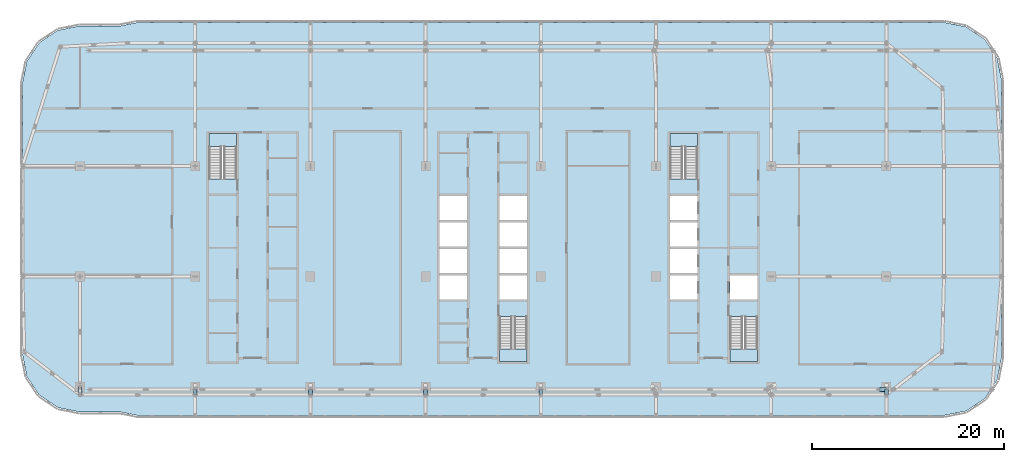
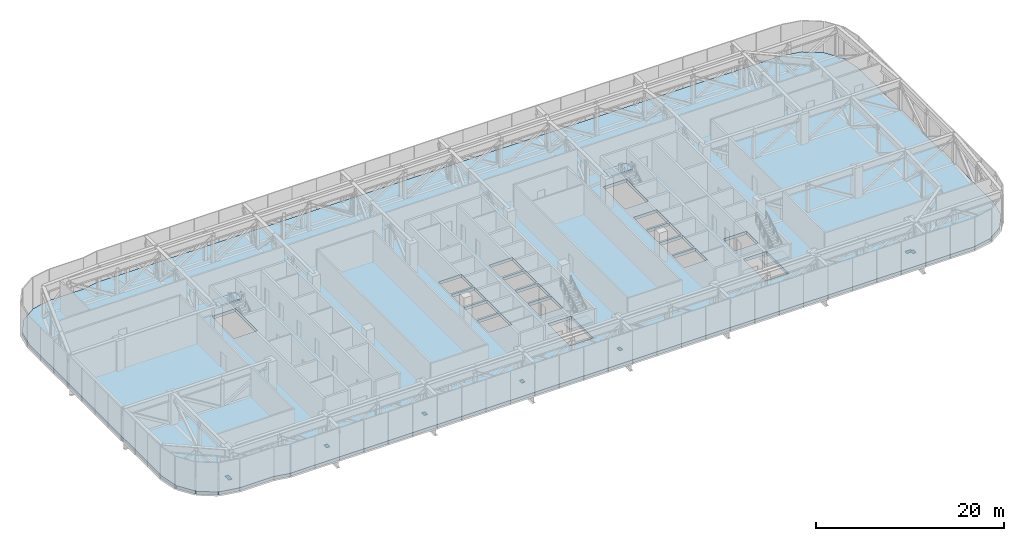
# One storey, part 12 of 29: 7 members, 5 slabs, 4 elements without a shape of their own.
"""IFC4 building model written with IfcOpenShell, lengths in metres."""

from ifc_helpers import new_model, si_unit, direction, frame, origin, origin_2d, place, context, subcontext, project, spatial, polyline, i_section, outline, extrude, material, layer, layer_set, material_profile, profile_set, type_object, element, aggregate, save


model = new_model("IFC4")

# Units and contexts
model_context = context("Model", 3, precision=1e-05, world=origin(), true_north=direction((0.0, 1.0)))
body_context = subcontext(model_context, "Body", "Model", "MODEL_VIEW")
ifc_project = project(units=[si_unit("LENGTHUNIT", "METRE"), si_unit("AREAUNIT", "SQUARE_METRE"), si_unit("VOLUMEUNIT", "CUBIC_METRE"), si_unit("PLANEANGLEUNIT", "RADIAN"), si_unit("MASSUNIT", "GRAM", prefix="KILO")], contexts=[model_context])

# Site, building, storey
site_placement = place(None, origin())
site = spatial("IfcSite", under=ifc_project, at=site_placement, CompositionType="ELEMENT")
building_placement = place(site_placement, origin())
building = spatial("IfcBuilding", under=site, at=building_placement, Name="Mahtab Terrace Research Tower", CompositionType="ELEMENT")
storey_placement = place(building_placement, frame((0.0, 0.0, 259.0)))
storey = spatial("IfcBuildingStorey", under=building, at=storey_placement, Name="L63", CompositionType="ELEMENT", Elevation=259.0)

# Members
ifc_material_1 = material(Name="Steel ASTM A992 Gr 50", Category="steel")
ifc_material_profile = material_profile(ifc_material_1, i_section(OverallWidth=0.40380859375, OverallDepth=0.406494140625, WebThickness=0.027099609375, FlangeThickness=0.043701171875, at=origin_2d()), Name="W14X233")
ifc_profile_set = profile_set([ifc_material_profile], Name="Steel ASTM A992 Gr 50")
member_type = type_object("IfcMemberType", Name="W14x233 chord TC14233", PredefinedType="CHORD", material=ifc_profile_set)
member_1_placement = place(storey_placement, frame((-42.0, -12.306884765625, -0.19677734375), z_axis=(0.0, 1.0, 0.0), x_axis=(-1.0, 0.0, 0.0)))
element("IfcMember", 1, at=member_1_placement, inside=storey, type_object=member_type, Name="Transfer truss T7 bottom chord 025", PredefinedType="CHORD", context=body_context, shape_type="SweptSolid", body=[
    extrude(i_section(OverallWidth=0.40380859375, OverallDepth=0.406494140625, WebThickness=0.027099609375, FlangeThickness=0.043701171875, at=origin_2d()), origin(), (0.0, 0.0, 1.0), 0.806884765625),
])
member_2_placement = place(storey_placement, frame((41.26611328125, -11.758056640625, -0.19677734375), z_axis=(1.0, 0.0, 0.0), x_axis=(0.0, 1.0, 0.0)))
element("IfcMember", 2, at=member_2_placement, inside=storey, type_object=member_type, Name="Transfer truss T7 bottom chord 042", PredefinedType="CHORD", context=body_context, shape_type="SweptSolid", body=[
    extrude(i_section(OverallWidth=0.40380859375, OverallDepth=0.406494140625, WebThickness=0.027099609375, FlangeThickness=0.043701171875, at=origin_2d()), origin(), (0.0, 0.0, 1.0), 0.73388671875),
])
for number, where, z_axis, x_axis, name in (
    (3, (-30.0, -12.306884765625, -0.19677734375), (0.0, 1.0, 0.0), (-1.0, 0.0, 0.0), "Transfer truss T7 bottom chord 045"),
    (4, (-18.0, -12.306884765625, -0.19677734375), (0.0, 1.0, 0.0), (-1.0, 0.0, 0.0), "Transfer truss T7 bottom chord 050"),
    (5, (-6.0, -12.306884765625, -0.19677734375), (0.0, 1.0, 0.0), (-1.0, 0.0, 0.0), "Transfer truss T7 bottom chord 055"),
    (6, (6.0, -12.306884765625, -0.19677734375), (0.0, 1.0, 0.0), (-1.0, 0.0, 0.0), "Transfer truss T7 bottom chord 060"),
    (7, (42.0, -12.306884765625, -0.19677734375), (0.0, 1.0, 0.0), (-1.0, 0.0, 0.0), "Transfer truss T7 bottom chord 084"),
):
    element("IfcMember", number, at=place(storey_placement, frame(where, z_axis=z_axis, x_axis=x_axis)), inside=storey, type_object=member_type, Name=name, PredefinedType="CHORD", context=body_context, shape_type="SweptSolid", body=[
        extrude(i_section(OverallWidth=0.40380859375, OverallDepth=0.406494140625, WebThickness=0.027099609375, FlangeThickness=0.043701171875, at=origin_2d()), origin(), (0.0, 0.0, 1.0), 0.548828125),
    ])

# Stair, slab
ifc_material_2 = material(Name="Exit stair half-turn")
stair_type = type_object("IfcStairType", Name="Exit stair half-turn", PredefinedType="HALF_TURN_STAIR", material=ifc_material_2)
stair_1_placement = place(storey_placement, origin())
stair_1 = element("IfcStair", 8, at=stair_1_placement, inside=storey, type_object=stair_type, Name="L63 Protected exit stair ST1", PredefinedType="HALF_TURN_STAIR")
ifc_material_3 = material(Name="Concrete C40/50", Category="concrete")
ifc_layer_1 = layer(ifc_material_3, 0.199951171875)
ifc_layer_set_1 = layer_set([ifc_layer_1], Name="Exit stair landing 200")
slab_type_1 = type_object("IfcSlabType", Name="Exit stair landing 200", PredefinedType="LANDING", material=ifc_layer_set_1)
slab_1_placement = place(storey_placement, frame((0.0, 0.0, 1.949951171875)))
slab_1 = element("IfcSlab", 9, at=slab_1_placement, type_object=slab_type_1, Name="ST1 landing 1", PredefinedType="LANDING", context=body_context, shape_type="SweptSolid", body=[
    extrude(outline(polyline([(-25.699951171875, 13.534912109375), (-25.699951171875, 14.875), (-28.550048828125, 14.875), (-28.550048828125, 13.534912109375), (-25.699951171875, 13.534912109375)])), origin(), (0.0, 0.0, 1.0), 0.199951171875),
])
aggregate(stair_1, [slab_1])

stair_2_placement = place(storey_placement, origin())
stair_2 = element("IfcStair", 10, at=stair_2_placement, inside=storey, type_object=stair_type, Name="L63 Protected exit stair ST2", PredefinedType="HALF_TURN_STAIR")
slab_2_placement = place(storey_placement, frame((0.0, 0.0, 1.949951171875)))
slab_2 = element("IfcSlab", 11, at=slab_2_placement, type_object=slab_type_1, Name="ST2 landing 1", PredefinedType="LANDING", context=body_context, shape_type="SweptSolid", body=[
    extrude(outline(polyline([(1.699951171875, -7.534912109375), (1.699951171875, -8.875), (4.550048828125, -8.875), (4.550048828125, -7.534912109375), (1.699951171875, -7.534912109375)])), origin(), (0.0, 0.0, 1.0), 0.199951171875),
])
aggregate(stair_2, [slab_2])

stair_3_placement = place(storey_placement, origin())
stair_3 = element("IfcStair", 12, at=stair_3_placement, inside=storey, type_object=stair_type, Name="L63 Protected exit stair ST3", PredefinedType="HALF_TURN_STAIR")
slab_3_placement = place(storey_placement, frame((0.0, 0.0, 1.949951171875)))
slab_3 = element("IfcSlab", 13, at=slab_3_placement, type_object=slab_type_1, Name="ST3 landing 1", PredefinedType="LANDING", context=body_context, shape_type="SweptSolid", body=[
    extrude(outline(polyline([(22.300048828125, 13.534912109375), (22.300048828125, 14.875), (19.449951171875, 14.875), (19.449951171875, 13.534912109375), (22.300048828125, 13.534912109375)])), origin(), (0.0, 0.0, 1.0), 0.199951171875),
])
aggregate(stair_3, [slab_3])

stair_4_placement = place(storey_placement, origin())
stair_4 = element("IfcStair", 14, at=stair_4_placement, inside=storey, type_object=stair_type, Name="L63 Protected exit stair ST4", PredefinedType="HALF_TURN_STAIR")
slab_4_placement = place(storey_placement, frame((0.0, 0.0, 1.949951171875)))
slab_4 = element("IfcSlab", 15, at=slab_4_placement, type_object=slab_type_1, Name="ST4 landing 1", PredefinedType="LANDING", context=body_context, shape_type="SweptSolid", body=[
    extrude(outline(polyline([(25.699951171875, -7.534912109375), (25.699951171875, -8.875), (28.550048828125, -8.875), (28.550048828125, -7.534912109375), (25.699951171875, -7.534912109375)])), origin(), (0.0, 0.0, 1.0), 0.199951171875),
])
aggregate(stair_4, [slab_4])

# Slab
ifc_layer_2 = layer(ifc_material_3, 0.39990234375)
ifc_layer_set_2 = layer_set([ifc_layer_2], Name="PT transfer slab 400")
slab_type_2 = type_object("IfcSlabType", Name="PT transfer slab 400", PredefinedType="FLOOR", material=ifc_layer_set_2)
slab_5_placement = place(storey_placement, frame((0.0, 0.0, -0.39990234375)))
element("IfcSlab", 16, at=slab_5_placement, inside=storey, type_object=slab_type_2, Name="Floor slab L63", PredefinedType="FLOOR", context=body_context, shape_type="SweptSolid", body=[
    extrude(outline(polyline([(-37.81494140625, -14.112060546875), (-36.0, -14.472900390625), (48.0, -14.472900390625), (50.2958984375, -14.01611328125), (52.242919921875, -12.716064453125), (53.54296875, -10.76904296875), (54.0, -8.472900390625), (54.0, 20.472900390625), (53.54296875, 22.76904296875), (52.242919921875, 24.716064453125), (50.2958984375, 26.01611328125), (48.0, 26.472900390625), (-36.0, 26.472900390625), (-37.81494140625, 26.112060546875), (-42.0, 26.112060546875), (-44.2958984375, 25.655029296875), (-46.242919921875, 24.35498046875), (-47.54296875, 22.407958984375), (-48.0, 20.112060546875), (-48.0, -8.112060546875), (-47.54296875, -10.407958984375), (-46.242919921875, -12.35498046875), (-44.2958984375, -13.655029296875), (-42.0, -14.112060546875), (-37.81494140625, -14.112060546875)]), holes=[polyline([(-4.550048828125, -2.375), (-4.550048828125, 0.125), (-1.699951171875, 0.125), (-1.699951171875, -2.375), (-4.550048828125, -2.375)]), polyline([(1.699951171875, -2.375), (1.699951171875, 0.125), (4.550048828125, 0.125), (4.550048828125, -2.375), (1.699951171875, -2.375)]), polyline([(-4.550048828125, 0.375), (-4.550048828125, 2.875), (-1.699951171875, 2.875), (-1.699951171875, 0.375), (-4.550048828125, 0.375)]), polyline([(1.699951171875, 0.375), (1.699951171875, 2.875), (4.550048828125, 2.875), (4.550048828125, 0.375), (1.699951171875, 0.375)]), polyline([(-4.550048828125, 3.125), (-4.550048828125, 5.625), (-1.699951171875, 5.625), (-1.699951171875, 3.125), (-4.550048828125, 3.125)]), polyline([(1.699951171875, 3.125), (1.699951171875, 5.625), (4.550048828125, 5.625), (4.550048828125, 3.125), (1.699951171875, 3.125)]), polyline([(-4.550048828125, 5.875), (-4.550048828125, 8.375), (-1.699951171875, 8.375), (-1.699951171875, 5.875), (-4.550048828125, 5.875)]), polyline([(1.699951171875, 5.875), (1.699951171875, 8.375), (4.550048828125, 8.375), (4.550048828125, 5.875), (1.699951171875, 5.875)]), polyline([(-28.550048828125, 10.177001953125), (-28.550048828125, 14.875), (-25.699951171875, 14.875), (-25.699951171875, 10.177001953125), (-28.550048828125, 10.177001953125)]), polyline([(1.699951171875, -8.875), (1.699951171875, -4.177001953125), (4.550048828125, -4.177001953125), (4.550048828125, -8.875), (1.699951171875, -8.875)]), polyline([(25.699951171875, -8.875), (25.699951171875, -4.177001953125), (28.550048828125, -4.177001953125), (28.550048828125, -8.875), (25.699951171875, -8.875)]), polyline([(19.449951171875, -2.375), (19.449951171875, 0.125), (22.300048828125, 0.125), (22.300048828125, -2.375), (19.449951171875, -2.375)]), polyline([(25.699951171875, -2.375), (25.699951171875, 0.125), (28.550048828125, 0.125), (28.550048828125, -2.375), (25.699951171875, -2.375)]), polyline([(19.449951171875, 0.375), (19.449951171875, 2.875), (22.300048828125, 2.875), (22.300048828125, 0.375), (19.449951171875, 0.375)]), polyline([(19.449951171875, 3.125), (19.449951171875, 5.625), (22.300048828125, 5.625), (22.300048828125, 3.125), (19.449951171875, 3.125)]), polyline([(19.449951171875, 8.375), (22.300048828125, 8.375), (22.300048828125, 5.875), (19.449951171875, 5.875), (19.449951171875, 8.375)]), polyline([(19.449951171875, 14.875), (22.300048828125, 14.875), (22.300048828125, 10.177001953125), (19.449951171875, 10.177001953125), (19.449951171875, 14.875)])]), origin(), (0.0, 0.0, 1.0), 0.39990234375),
])

save(model, "model.ifc")
